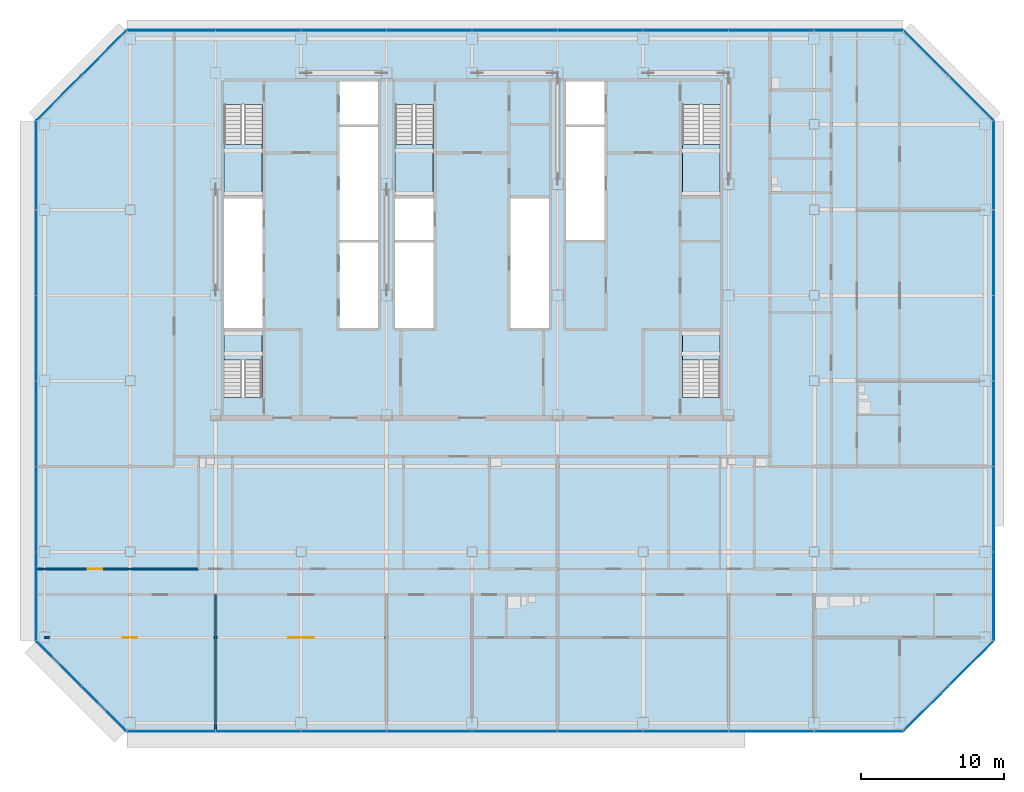
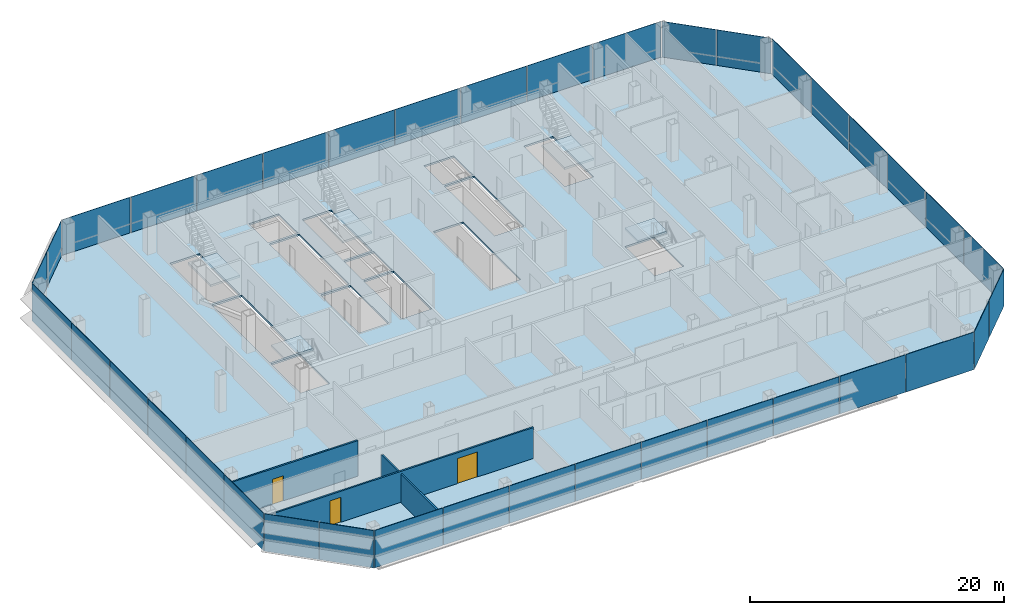
# One storey, part 18 of 25: 38 plates, 6 slabs, 3 doors, 3 walls, 3 openings, 13 elements without a shape of their own.
"""IFC4 building model written with IfcOpenShell, lengths in metres."""

from ifc_helpers import new_model, si_unit, direction, frame, frame_2d, origin, origin_2d, place, context, subcontext, project, spatial, polyline, rectangle, outline, extrude, material, layer, layer_set, type_object, element, fill, aggregate, save


model = new_model("IFC4")

# Units and contexts
model_context = context("Model", 3, precision=1e-05, world=origin(), true_north=direction((0.0, 1.0)))
body_context = subcontext(model_context, "Body", "Model", "MODEL_VIEW")
ifc_project = project(units=[si_unit("LENGTHUNIT", "METRE"), si_unit("AREAUNIT", "SQUARE_METRE"), si_unit("VOLUMEUNIT", "CUBIC_METRE"), si_unit("PLANEANGLEUNIT", "RADIAN"), si_unit("MASSUNIT", "GRAM", prefix="KILO")], contexts=[model_context])

# Site, building, storey
site_placement = place(None, origin())
site = spatial("IfcSite", under=ifc_project, at=site_placement, CompositionType="ELEMENT")
building_placement = place(site_placement, origin())
building = spatial("IfcBuilding", under=site, at=building_placement, Name="Sorahane Residences", CompositionType="ELEMENT")
storey_placement = place(building_placement, frame((0.0, 0.0, 130.39990234375)))
storey = spatial("IfcBuildingStorey", under=building, at=storey_placement, Name="L29", CompositionType="ELEMENT", Elevation=130.39990234375)

# Slab
ifc_material_1 = material(Name="Concrete C35", Category="concrete")
ifc_layer_1 = layer(ifc_material_1, 0.179931640625)
ifc_layer_set_1 = layer_set([ifc_layer_1], Name="Composite floor slab 180 mm Concrete C35")
slab_type_1 = type_object("IfcSlabType", Name="Composite floor slab 180 mm Concrete C35", PredefinedType="FLOOR", material=ifc_layer_set_1)
slab_1_placement = place(storey_placement, frame((0.0, 0.0, -0.179931640625)))
element("IfcSlab", 1, at=slab_1_placement, inside=storey, type_object=slab_type_1, Name="Slab L29", PredefinedType="FLOOR", context=body_context, shape_type="SweptSolid", body=[
    extrude(outline(polyline([(-0.24853515625, -0.60009765625), (-6.60009765625, 5.75146484375), (-6.60009765625, 42.24853515625), (-0.24853515625, 48.60009765625), (54.24853515625, 48.60009765625), (60.60009765625, 42.24853515625), (60.60009765625, 5.75146484375), (54.24853515625, -0.60009765625), (-0.24853515625, -0.60009765625)]), holes=[polyline([(18.60009765625, 27.699951171875), (21.300048828125, 27.699951171875), (21.300048828125, 33.699951171875), (18.60009765625, 33.699951171875), (18.60009765625, 27.699951171875)]), polyline([(30.60009765625, 42.0), (33.300048828125, 42.0), (33.300048828125, 45.0), (30.60009765625, 45.0), (30.60009765625, 42.0)]), polyline([(14.699951171875, 27.699951171875), (17.39990234375, 27.699951171875), (17.39990234375, 33.699951171875), (14.699951171875, 33.699951171875), (14.699951171875, 27.699951171875)]), polyline([(14.699951171875, 42.0), (17.39990234375, 42.0), (17.39990234375, 45.0), (14.699951171875, 45.0), (14.699951171875, 42.0)]), polyline([(6.60009765625, 27.699951171875), (9.300048828125, 27.699951171875), (9.300048828125, 36.800048828125), (6.60009765625, 36.800048828125), (6.60009765625, 27.699951171875)]), polyline([(6.60009765625, 43.39990234375), (6.60009765625, 37.0), (9.25, 37.0), (9.25, 43.39990234375), (6.60009765625, 43.39990234375)]), polyline([(38.75, 43.39990234375), (38.75, 37.0), (41.39990234375, 37.0), (41.39990234375, 43.39990234375), (38.75, 43.39990234375)]), polyline([(18.60009765625, 43.39990234375), (18.60009765625, 37.0), (21.25, 37.0), (21.25, 43.39990234375), (18.60009765625, 43.39990234375)]), polyline([(9.25, 22.85009765625), (9.25, 27.5), (6.60009765625, 27.5), (6.60009765625, 22.85009765625), (9.25, 22.85009765625)]), polyline([(41.39990234375, 22.85009765625), (41.39990234375, 27.5), (38.75, 27.5), (38.75, 22.85009765625), (41.39990234375, 22.85009765625)]), polyline([(14.699951171875, 33.89990234375), (17.39990234375, 33.89990234375), (17.39990234375, 41.800048828125), (14.699951171875, 41.800048828125), (14.699951171875, 33.89990234375)]), polyline([(30.60009765625, 33.89990234375), (33.300048828125, 33.89990234375), (33.300048828125, 41.800048828125), (30.60009765625, 41.800048828125), (30.60009765625, 33.89990234375)]), polyline([(18.60009765625, 33.89990234375), (21.300048828125, 33.89990234375), (21.300048828125, 36.800048828125), (18.60009765625, 36.800048828125), (18.60009765625, 33.89990234375)]), polyline([(26.699951171875, 27.699951171875), (29.39990234375, 27.699951171875), (29.39990234375, 36.800048828125), (26.699951171875, 36.800048828125), (26.699951171875, 27.699951171875)])]), origin(), (0.0, 0.0, 1.0), 0.179931640625),
])

# Curtain wall, plates
ifc_material_2 = material(Name="Dark low-e glass and black anodised aluminium", Category="aluminium")
curtain_wall_type_1 = type_object("IfcCurtainWallType", Name="Curtain wall CW-1 Typical unitised wall", PredefinedType="NOTDEFINED", material=ifc_material_2)
curtain_wall_1_placement = place(storey_placement, origin())
curtain_wall_1 = element("IfcCurtainWall", 2, at=curtain_wall_1_placement, inside=storey, type_object=curtain_wall_type_1, Name="CW-1 curtain wall L29 S1", PredefinedType="NOTDEFINED")
ifc_material_3 = material(Name="Dark low-e glass with black ceramic frit", Category="glass")
ifc_layer_2 = layer(ifc_material_3, 0.0400390625)
ifc_layer_set_2 = layer_set([ifc_layer_2], Name="Curtain wall glass panel dark low-e with black frit spandrel band")
plate_type = type_object("IfcPlateType", Name="Curtain wall glass panel dark low-e with black frit spandrel band", PredefinedType="CURTAIN_PANEL", material=ifc_layer_set_2)
plate_1_placement = place(storey_placement, frame((2.88818359375, -0.60009765625, -0.179931640625), z_axis=(0.0, 0.0, 1.0), x_axis=(1.0, 0.0, 0.0)))
plate_1 = element("IfcPlate", 3, at=plate_1_placement, type_object=plate_type, Name="CW-1 glass panel L29 S1.1", PredefinedType="CURTAIN_PANEL", context=body_context, shape_type="SweptSolid", body=[
    extrude(rectangle(XDim=6.173583984375, YDim=0.0400390625, at=origin_2d()), origin(), (0.0, 0.0, 1.0), 3.60009765625),
])
plate_2_placement = place(storey_placement, frame((9.0, -0.60009765625, -0.179931640625), z_axis=(0.0, 0.0, 1.0), x_axis=(1.0, 0.0, 0.0)))
plate_2 = element("IfcPlate", 4, at=plate_2_placement, type_object=plate_type, Name="CW-1 glass panel L29 S1.2", PredefinedType="CURTAIN_PANEL", context=body_context, shape_type="SweptSolid", body=[
    extrude(rectangle(XDim=5.949951171875, YDim=0.0400390625, at=origin_2d()), origin(), (0.0, 0.0, 1.0), 3.60009765625),
])
plate_3_placement = place(storey_placement, frame((15.0, -0.60009765625, -0.179931640625), z_axis=(0.0, 0.0, 1.0), x_axis=(1.0, 0.0, 0.0)))
plate_3 = element("IfcPlate", 5, at=plate_3_placement, type_object=plate_type, Name="CW-1 glass panel L29 S1.3", PredefinedType="CURTAIN_PANEL", context=body_context, shape_type="SweptSolid", body=[
    extrude(rectangle(XDim=5.949951171875, YDim=0.0400390625, at=origin_2d()), origin(), (0.0, 0.0, 1.0), 3.60009765625),
])
plate_4_placement = place(storey_placement, frame((21.0, -0.60009765625, -0.179931640625), z_axis=(0.0, 0.0, 1.0), x_axis=(1.0, 0.0, 0.0)))
plate_4 = element("IfcPlate", 6, at=plate_4_placement, type_object=plate_type, Name="CW-1 glass panel L29 S1.4", PredefinedType="CURTAIN_PANEL", context=body_context, shape_type="SweptSolid", body=[
    extrude(rectangle(XDim=5.949951171875, YDim=0.0400390625, at=origin_2d()), origin(), (0.0, 0.0, 1.0), 3.60009765625),
])
plate_5_placement = place(storey_placement, frame((27.0, -0.60009765625, -0.179931640625), z_axis=(0.0, 0.0, 1.0), x_axis=(1.0, 0.0, 0.0)))
plate_5 = element("IfcPlate", 7, at=plate_5_placement, type_object=plate_type, Name="CW-1 glass panel L29 S1.5", PredefinedType="CURTAIN_PANEL", context=body_context, shape_type="SweptSolid", body=[
    extrude(rectangle(XDim=5.949951171875, YDim=0.0400390625, at=origin_2d()), origin(), (0.0, 0.0, 1.0), 3.60009765625),
])
plate_6_placement = place(storey_placement, frame((33.0, -0.60009765625, -0.179931640625), z_axis=(0.0, 0.0, 1.0), x_axis=(1.0, 0.0, 0.0)))
plate_6 = element("IfcPlate", 8, at=plate_6_placement, type_object=plate_type, Name="CW-1 glass panel L29 S1.6", PredefinedType="CURTAIN_PANEL", context=body_context, shape_type="SweptSolid", body=[
    extrude(rectangle(XDim=5.949951171875, YDim=0.0400390625, at=origin_2d()), origin(), (0.0, 0.0, 1.0), 3.60009765625),
])
plate_7_placement = place(storey_placement, frame((39.0, -0.60009765625, -0.179931640625), z_axis=(0.0, 0.0, 1.0), x_axis=(1.0, 0.0, 0.0)))
plate_7 = element("IfcPlate", 9, at=plate_7_placement, type_object=plate_type, Name="CW-1 glass panel L29 S1.7", PredefinedType="CURTAIN_PANEL", context=body_context, shape_type="SweptSolid", body=[
    extrude(rectangle(XDim=5.949951171875, YDim=0.0400390625, at=origin_2d()), origin(), (0.0, 0.0, 1.0), 3.60009765625),
])
plate_8_placement = place(storey_placement, frame((45.0, -0.60009765625, -0.179931640625), z_axis=(0.0, 0.0, 1.0), x_axis=(1.0, 0.0, 0.0)))
plate_8 = element("IfcPlate", 10, at=plate_8_placement, type_object=plate_type, Name="CW-1 glass panel L29 S1.8", PredefinedType="CURTAIN_PANEL", context=body_context, shape_type="SweptSolid", body=[
    extrude(rectangle(XDim=5.949951171875, YDim=0.0400390625, at=origin_2d()), origin(), (0.0, 0.0, 1.0), 3.60009765625),
])
plate_9_placement = place(storey_placement, frame((51.11181640625, -0.60009765625, -0.179931640625), z_axis=(0.0, 0.0, 1.0), x_axis=(1.0, 0.0, 0.0)))
plate_9 = element("IfcPlate", 11, at=plate_9_placement, type_object=plate_type, Name="CW-1 glass panel L29 S1.9", PredefinedType="CURTAIN_PANEL", context=body_context, shape_type="SweptSolid", body=[
    extrude(rectangle(XDim=6.173583984375, YDim=0.0400390625, at=origin_2d()), origin(), (0.0, 0.0, 1.0), 3.60009765625),
])
aggregate(curtain_wall_1, [plate_1, plate_2, plate_3, plate_4, plate_5, plate_6, plate_7, plate_8, plate_9])

ifc_material_4 = material(Name="Dark low-e glass and black anodised aluminium", Category="aluminium")
curtain_wall_type_2 = type_object("IfcCurtainWallType", Name="Curtain wall CW-2 Chamfer unitised wall", PredefinedType="NOTDEFINED", material=ifc_material_4)
curtain_wall_2_placement = place(storey_placement, origin())
curtain_wall_2 = element("IfcCurtainWall", 12, at=curtain_wall_2_placement, inside=storey, type_object=curtain_wall_type_2, Name="CW-2 curtain wall L29 SE1", PredefinedType="NOTDEFINED")
plate_10_placement = place(storey_placement, frame((55.84521484375, 0.996826171875, -0.179931640625), z_axis=(0.0, 0.0, 1.0), x_axis=(0.707106781187, 0.707106781187, 0.0)))
plate_10 = element("IfcPlate", 13, at=plate_10_placement, type_object=plate_type, Name="CW-2 glass panel L29 SE1.1", PredefinedType="CURTAIN_PANEL", context=body_context, shape_type="SweptSolid", body=[
    extrude(rectangle(XDim=4.416259765625, YDim=0.0400390625, at=origin_2d()), origin(), (0.0, 0.0, 1.0), 3.60009765625),
])
plate_11_placement = place(storey_placement, frame((59.003173828125, 4.15478515625, -0.179931640625), z_axis=(0.0, 0.0, 1.0), x_axis=(0.707106781187, 0.707106781187, 0.0)))
plate_11 = element("IfcPlate", 14, at=plate_11_placement, type_object=plate_type, Name="CW-2 glass panel L29 SE1.2", PredefinedType="CURTAIN_PANEL", context=body_context, shape_type="SweptSolid", body=[
    extrude(rectangle(XDim=4.416259765625, YDim=0.0400390625, at=origin_2d()), origin(), (0.0, 0.0, 1.0), 3.60009765625),
])
aggregate(curtain_wall_2, [plate_10, plate_11])

curtain_wall_3_placement = place(storey_placement, origin())
curtain_wall_3 = element("IfcCurtainWall", 15, at=curtain_wall_3_placement, inside=storey, type_object=curtain_wall_type_1, Name="CW-1 curtain wall L29 E1", PredefinedType="NOTDEFINED")
plate_12_placement = place(storey_placement, frame((60.60009765625, 8.88818359375, -0.179931640625), z_axis=(0.0, 0.0, 1.0), x_axis=(0.0, 1.0, 0.0)))
plate_12 = element("IfcPlate", 16, at=plate_12_placement, type_object=plate_type, Name="CW-1 glass panel L29 E1.1", PredefinedType="CURTAIN_PANEL", context=body_context, shape_type="SweptSolid", body=[
    extrude(rectangle(XDim=6.173583984375, YDim=0.0400390625, at=origin_2d()), origin(), (0.0, 0.0, 1.0), 3.60009765625),
])
plate_13_placement = place(storey_placement, frame((60.60009765625, 15.0, -0.179931640625), z_axis=(0.0, 0.0, 1.0), x_axis=(0.0, 1.0, 0.0)))
plate_13 = element("IfcPlate", 17, at=plate_13_placement, type_object=plate_type, Name="CW-1 glass panel L29 E1.2", PredefinedType="CURTAIN_PANEL", context=body_context, shape_type="SweptSolid", body=[
    extrude(rectangle(XDim=5.949951171875, YDim=0.0400390625, at=origin_2d()), origin(), (0.0, 0.0, 1.0), 3.60009765625),
])
plate_14_placement = place(storey_placement, frame((60.60009765625, 21.0, -0.179931640625), z_axis=(0.0, 0.0, 1.0), x_axis=(0.0, 1.0, 0.0)))
plate_14 = element("IfcPlate", 18, at=plate_14_placement, type_object=plate_type, Name="CW-1 glass panel L29 E1.3", PredefinedType="CURTAIN_PANEL", context=body_context, shape_type="SweptSolid", body=[
    extrude(rectangle(XDim=5.949951171875, YDim=0.0400390625, at=origin_2d()), origin(), (0.0, 0.0, 1.0), 3.60009765625),
])
plate_15_placement = place(storey_placement, frame((60.60009765625, 27.0, -0.179931640625), z_axis=(0.0, 0.0, 1.0), x_axis=(0.0, 1.0, 0.0)))
plate_15 = element("IfcPlate", 19, at=plate_15_placement, type_object=plate_type, Name="CW-1 glass panel L29 E1.4", PredefinedType="CURTAIN_PANEL", context=body_context, shape_type="SweptSolid", body=[
    extrude(rectangle(XDim=5.949951171875, YDim=0.0400390625, at=origin_2d()), origin(), (0.0, 0.0, 1.0), 3.60009765625),
])
plate_16_placement = place(storey_placement, frame((60.60009765625, 33.0, -0.179931640625), z_axis=(0.0, 0.0, 1.0), x_axis=(0.0, 1.0, 0.0)))
plate_16 = element("IfcPlate", 20, at=plate_16_placement, type_object=plate_type, Name="CW-1 glass panel L29 E1.5", PredefinedType="CURTAIN_PANEL", context=body_context, shape_type="SweptSolid", body=[
    extrude(rectangle(XDim=5.949951171875, YDim=0.0400390625, at=origin_2d()), origin(), (0.0, 0.0, 1.0), 3.60009765625),
])
plate_17_placement = place(storey_placement, frame((60.60009765625, 39.11181640625, -0.179931640625), z_axis=(0.0, 0.0, 1.0), x_axis=(0.0, 1.0, 0.0)))
plate_17 = element("IfcPlate", 21, at=plate_17_placement, type_object=plate_type, Name="CW-1 glass panel L29 E1.6", PredefinedType="CURTAIN_PANEL", context=body_context, shape_type="SweptSolid", body=[
    extrude(rectangle(XDim=6.173583984375, YDim=0.0400390625, at=origin_2d()), origin(), (0.0, 0.0, 1.0), 3.60009765625),
])
aggregate(curtain_wall_3, [plate_12, plate_13, plate_14, plate_15, plate_16, plate_17])

curtain_wall_4_placement = place(storey_placement, origin())
curtain_wall_4 = element("IfcCurtainWall", 22, at=curtain_wall_4_placement, inside=storey, type_object=curtain_wall_type_2, Name="CW-2 curtain wall L29 NE1", PredefinedType="NOTDEFINED")
plate_18_placement = place(storey_placement, frame((59.003173828125, 43.84521484375, -0.179931640625), z_axis=(0.0, 0.0, 1.0), x_axis=(-0.707106781187, 0.707106781187, 0.0)))
plate_18 = element("IfcPlate", 23, at=plate_18_placement, type_object=plate_type, Name="CW-2 glass panel L29 NE1.1", PredefinedType="CURTAIN_PANEL", context=body_context, shape_type="SweptSolid", body=[
    extrude(rectangle(XDim=4.416259765625, YDim=0.0400390625, at=origin_2d()), origin(), (0.0, 0.0, 1.0), 3.60009765625),
])
plate_19_placement = place(storey_placement, frame((55.84521484375, 47.003173828125, -0.179931640625), z_axis=(0.0, 0.0, 1.0), x_axis=(-0.707106781187, 0.707106781187, 0.0)))
plate_19 = element("IfcPlate", 24, at=plate_19_placement, type_object=plate_type, Name="CW-2 glass panel L29 NE1.2", PredefinedType="CURTAIN_PANEL", context=body_context, shape_type="SweptSolid", body=[
    extrude(rectangle(XDim=4.416259765625, YDim=0.0400390625, at=origin_2d()), origin(), (0.0, 0.0, 1.0), 3.60009765625),
])
aggregate(curtain_wall_4, [plate_18, plate_19])

curtain_wall_5_placement = place(storey_placement, origin())
curtain_wall_5 = element("IfcCurtainWall", 25, at=curtain_wall_5_placement, inside=storey, type_object=curtain_wall_type_1, Name="CW-1 curtain wall L29 N1", PredefinedType="NOTDEFINED")
plate_20_placement = place(storey_placement, frame((51.11181640625, 48.60009765625, -0.179931640625), z_axis=(0.0, 0.0, 1.0), x_axis=(-1.0, 0.0, 0.0)))
plate_20 = element("IfcPlate", 26, at=plate_20_placement, type_object=plate_type, Name="CW-1 glass panel L29 N1.1", PredefinedType="CURTAIN_PANEL", context=body_context, shape_type="SweptSolid", body=[
    extrude(rectangle(XDim=6.173583984375, YDim=0.0400390625, at=origin_2d()), origin(), (0.0, 0.0, 1.0), 3.60009765625),
])
plate_21_placement = place(storey_placement, frame((45.0, 48.60009765625, -0.179931640625), z_axis=(0.0, 0.0, 1.0), x_axis=(-1.0, 0.0, 0.0)))
plate_21 = element("IfcPlate", 27, at=plate_21_placement, type_object=plate_type, Name="CW-1 glass panel L29 N1.2", PredefinedType="CURTAIN_PANEL", context=body_context, shape_type="SweptSolid", body=[
    extrude(rectangle(XDim=5.949951171875, YDim=0.0400390625, at=origin_2d()), origin(), (0.0, 0.0, 1.0), 3.60009765625),
])
plate_22_placement = place(storey_placement, frame((39.0, 48.60009765625, -0.179931640625), z_axis=(0.0, 0.0, 1.0), x_axis=(-1.0, 0.0, 0.0)))
plate_22 = element("IfcPlate", 28, at=plate_22_placement, type_object=plate_type, Name="CW-1 glass panel L29 N1.3", PredefinedType="CURTAIN_PANEL", context=body_context, shape_type="SweptSolid", body=[
    extrude(rectangle(XDim=5.949951171875, YDim=0.0400390625, at=origin_2d()), origin(), (0.0, 0.0, 1.0), 3.60009765625),
])
plate_23_placement = place(storey_placement, frame((33.0, 48.60009765625, -0.179931640625), z_axis=(0.0, 0.0, 1.0), x_axis=(-1.0, 0.0, 0.0)))
plate_23 = element("IfcPlate", 29, at=plate_23_placement, type_object=plate_type, Name="CW-1 glass panel L29 N1.4", PredefinedType="CURTAIN_PANEL", context=body_context, shape_type="SweptSolid", body=[
    extrude(rectangle(XDim=5.949951171875, YDim=0.0400390625, at=origin_2d()), origin(), (0.0, 0.0, 1.0), 3.60009765625),
])
plate_24_placement = place(storey_placement, frame((27.0, 48.60009765625, -0.179931640625), z_axis=(0.0, 0.0, 1.0), x_axis=(-1.0, 0.0, 0.0)))
plate_24 = element("IfcPlate", 30, at=plate_24_placement, type_object=plate_type, Name="CW-1 glass panel L29 N1.5", PredefinedType="CURTAIN_PANEL", context=body_context, shape_type="SweptSolid", body=[
    extrude(rectangle(XDim=5.949951171875, YDim=0.0400390625, at=origin_2d()), origin(), (0.0, 0.0, 1.0), 3.60009765625),
])
plate_25_placement = place(storey_placement, frame((21.0, 48.60009765625, -0.179931640625), z_axis=(0.0, 0.0, 1.0), x_axis=(-1.0, 0.0, 0.0)))
plate_25 = element("IfcPlate", 31, at=plate_25_placement, type_object=plate_type, Name="CW-1 glass panel L29 N1.6", PredefinedType="CURTAIN_PANEL", context=body_context, shape_type="SweptSolid", body=[
    extrude(rectangle(XDim=5.949951171875, YDim=0.0400390625, at=origin_2d()), origin(), (0.0, 0.0, 1.0), 3.60009765625),
])
plate_26_placement = place(storey_placement, frame((15.0, 48.60009765625, -0.179931640625), z_axis=(0.0, 0.0, 1.0), x_axis=(-1.0, 0.0, 0.0)))
plate_26 = element("IfcPlate", 32, at=plate_26_placement, type_object=plate_type, Name="CW-1 glass panel L29 N1.7", PredefinedType="CURTAIN_PANEL", context=body_context, shape_type="SweptSolid", body=[
    extrude(rectangle(XDim=5.949951171875, YDim=0.0400390625, at=origin_2d()), origin(), (0.0, 0.0, 1.0), 3.60009765625),
])
plate_27_placement = place(storey_placement, frame((9.0, 48.60009765625, -0.179931640625), z_axis=(0.0, 0.0, 1.0), x_axis=(-1.0, 0.0, 0.0)))
plate_27 = element("IfcPlate", 33, at=plate_27_placement, type_object=plate_type, Name="CW-1 glass panel L29 N1.8", PredefinedType="CURTAIN_PANEL", context=body_context, shape_type="SweptSolid", body=[
    extrude(rectangle(XDim=5.949951171875, YDim=0.0400390625, at=origin_2d()), origin(), (0.0, 0.0, 1.0), 3.60009765625),
])
plate_28_placement = place(storey_placement, frame((2.88818359375, 48.60009765625, -0.179931640625), z_axis=(0.0, 0.0, 1.0), x_axis=(-1.0, 0.0, 0.0)))
plate_28 = element("IfcPlate", 34, at=plate_28_placement, type_object=plate_type, Name="CW-1 glass panel L29 N1.9", PredefinedType="CURTAIN_PANEL", context=body_context, shape_type="SweptSolid", body=[
    extrude(rectangle(XDim=6.173583984375, YDim=0.0400390625, at=origin_2d()), origin(), (0.0, 0.0, 1.0), 3.60009765625),
])
aggregate(curtain_wall_5, [plate_20, plate_21, plate_22, plate_23, plate_24, plate_25, plate_26, plate_27, plate_28])

curtain_wall_6_placement = place(storey_placement, origin())
curtain_wall_6 = element("IfcCurtainWall", 35, at=curtain_wall_6_placement, inside=storey, type_object=curtain_wall_type_2, Name="CW-2 curtain wall L29 NW1", PredefinedType="NOTDEFINED")
plate_29_placement = place(storey_placement, frame((-1.84521484375, 47.003173828125, -0.179931640625), z_axis=(0.0, 0.0, 1.0), x_axis=(-0.707106781187, -0.707106781187, 0.0)))
plate_29 = element("IfcPlate", 36, at=plate_29_placement, type_object=plate_type, Name="CW-2 glass panel L29 NW1.1", PredefinedType="CURTAIN_PANEL", context=body_context, shape_type="SweptSolid", body=[
    extrude(rectangle(XDim=4.416259765625, YDim=0.0400390625, at=origin_2d()), origin(), (0.0, 0.0, 1.0), 3.60009765625),
])
plate_30_placement = place(storey_placement, frame((-5.003173828125, 43.84521484375, -0.179931640625), z_axis=(0.0, 0.0, 1.0), x_axis=(-0.707106781187, -0.707106781187, 0.0)))
plate_30 = element("IfcPlate", 37, at=plate_30_placement, type_object=plate_type, Name="CW-2 glass panel L29 NW1.2", PredefinedType="CURTAIN_PANEL", context=body_context, shape_type="SweptSolid", body=[
    extrude(rectangle(XDim=4.416259765625, YDim=0.0400390625, at=origin_2d()), origin(), (0.0, 0.0, 1.0), 3.60009765625),
])
aggregate(curtain_wall_6, [plate_29, plate_30])

curtain_wall_7_placement = place(storey_placement, origin())
curtain_wall_7 = element("IfcCurtainWall", 38, at=curtain_wall_7_placement, inside=storey, type_object=curtain_wall_type_1, Name="CW-1 curtain wall L29 W1", PredefinedType="NOTDEFINED")
plate_31_placement = place(storey_placement, frame((-6.60009765625, 39.11181640625, -0.179931640625), z_axis=(0.0, 0.0, 1.0), x_axis=(0.0, -1.0, 0.0)))
plate_31 = element("IfcPlate", 39, at=plate_31_placement, type_object=plate_type, Name="CW-1 glass panel L29 W1.1", PredefinedType="CURTAIN_PANEL", context=body_context, shape_type="SweptSolid", body=[
    extrude(rectangle(XDim=6.173583984375, YDim=0.0400390625, at=origin_2d()), origin(), (0.0, 0.0, 1.0), 3.60009765625),
])
plate_32_placement = place(storey_placement, frame((-6.60009765625, 33.0, -0.179931640625), z_axis=(0.0, 0.0, 1.0), x_axis=(0.0, -1.0, 0.0)))
plate_32 = element("IfcPlate", 40, at=plate_32_placement, type_object=plate_type, Name="CW-1 glass panel L29 W1.2", PredefinedType="CURTAIN_PANEL", context=body_context, shape_type="SweptSolid", body=[
    extrude(rectangle(XDim=5.949951171875, YDim=0.0400390625, at=origin_2d()), origin(), (0.0, 0.0, 1.0), 3.60009765625),
])
plate_33_placement = place(storey_placement, frame((-6.60009765625, 27.0, -0.179931640625), z_axis=(0.0, 0.0, 1.0), x_axis=(0.0, -1.0, 0.0)))
plate_33 = element("IfcPlate", 41, at=plate_33_placement, type_object=plate_type, Name="CW-1 glass panel L29 W1.3", PredefinedType="CURTAIN_PANEL", context=body_context, shape_type="SweptSolid", body=[
    extrude(rectangle(XDim=5.949951171875, YDim=0.0400390625, at=origin_2d()), origin(), (0.0, 0.0, 1.0), 3.60009765625),
])
plate_34_placement = place(storey_placement, frame((-6.60009765625, 21.0, -0.179931640625), z_axis=(0.0, 0.0, 1.0), x_axis=(0.0, -1.0, 0.0)))
plate_34 = element("IfcPlate", 42, at=plate_34_placement, type_object=plate_type, Name="CW-1 glass panel L29 W1.4", PredefinedType="CURTAIN_PANEL", context=body_context, shape_type="SweptSolid", body=[
    extrude(rectangle(XDim=5.949951171875, YDim=0.0400390625, at=origin_2d()), origin(), (0.0, 0.0, 1.0), 3.60009765625),
])
plate_35_placement = place(storey_placement, frame((-6.60009765625, 15.0, -0.179931640625), z_axis=(0.0, 0.0, 1.0), x_axis=(0.0, -1.0, 0.0)))
plate_35 = element("IfcPlate", 43, at=plate_35_placement, type_object=plate_type, Name="CW-1 glass panel L29 W1.5", PredefinedType="CURTAIN_PANEL", context=body_context, shape_type="SweptSolid", body=[
    extrude(rectangle(XDim=5.949951171875, YDim=0.0400390625, at=origin_2d()), origin(), (0.0, 0.0, 1.0), 3.60009765625),
])
plate_36_placement = place(storey_placement, frame((-6.60009765625, 8.88818359375, -0.179931640625), z_axis=(0.0, 0.0, 1.0), x_axis=(0.0, -1.0, 0.0)))
plate_36 = element("IfcPlate", 44, at=plate_36_placement, type_object=plate_type, Name="CW-1 glass panel L29 W1.6", PredefinedType="CURTAIN_PANEL", context=body_context, shape_type="SweptSolid", body=[
    extrude(rectangle(XDim=6.173583984375, YDim=0.0400390625, at=origin_2d()), origin(), (0.0, 0.0, 1.0), 3.60009765625),
])
aggregate(curtain_wall_7, [plate_31, plate_32, plate_33, plate_34, plate_35, plate_36])

curtain_wall_8_placement = place(storey_placement, origin())
curtain_wall_8 = element("IfcCurtainWall", 45, at=curtain_wall_8_placement, inside=storey, type_object=curtain_wall_type_2, Name="CW-2 curtain wall L29 SW1", PredefinedType="NOTDEFINED")
plate_37_placement = place(storey_placement, frame((-5.003173828125, 4.15478515625, -0.179931640625), z_axis=(0.0, 0.0, 1.0), x_axis=(0.707106781187, -0.707106781187, 0.0)))
plate_37 = element("IfcPlate", 46, at=plate_37_placement, type_object=plate_type, Name="CW-2 glass panel L29 SW1.1", PredefinedType="CURTAIN_PANEL", context=body_context, shape_type="SweptSolid", body=[
    extrude(rectangle(XDim=4.416259765625, YDim=0.0400390625, at=origin_2d()), origin(), (0.0, 0.0, 1.0), 3.60009765625),
])
plate_38_placement = place(storey_placement, frame((-1.84521484375, 0.996826171875, -0.179931640625), z_axis=(0.0, 0.0, 1.0), x_axis=(0.707106781187, -0.707106781187, 0.0)))
plate_38 = element("IfcPlate", 47, at=plate_38_placement, type_object=plate_type, Name="CW-2 glass panel L29 SW1.2", PredefinedType="CURTAIN_PANEL", context=body_context, shape_type="SweptSolid", body=[
    extrude(rectangle(XDim=4.416259765625, YDim=0.0400390625, at=origin_2d()), origin(), (0.0, 0.0, 1.0), 3.60009765625),
])
aggregate(curtain_wall_8, [plate_37, plate_38])

# Stair, slab
ifc_material_5 = material(Name="Concrete C40", Category="concrete")
stair_type = type_object("IfcStairType", Name="Dog-leg stair 1250 Concrete C40", PredefinedType="HALF_TURN_STAIR", material=ifc_material_5)
stair_1_placement = place(storey_placement, origin())
stair_1 = element("IfcStair", 48, at=stair_1_placement, inside=storey, type_object=stair_type, Name="L29 Stair S1", PredefinedType="HALF_TURN_STAIR")
ifc_material_6 = material(Name="Concrete C40", Category="concrete")
ifc_layer_3 = layer(ifc_material_6, 0.199951171875)
ifc_layer_set_3 = layer_set([ifc_layer_3], Name="Stair landing 200 Concrete C40")
slab_type_2 = type_object("IfcSlabType", Name="Stair landing 200 Concrete C40", PredefinedType="LANDING", material=ifc_layer_set_3)
slab_2_placement = place(storey_placement, frame((0.0, 0.0, 1.60009765625)))
slab_2 = element("IfcSlab", 49, at=slab_2_placement, type_object=slab_type_2, Name="S1 landing 1", PredefinedType="LANDING", context=body_context, shape_type="SweptSolid", body=[
    extrude(outline(polyline([(6.60009765625, 40.60009765625), (6.60009765625, 37.0), (9.25, 37.0), (9.25, 40.60009765625), (6.60009765625, 40.60009765625)])), origin(), (0.0, 0.0, 1.0), 0.199951171875),
])
aggregate(stair_1, [slab_2])

stair_2_placement = place(storey_placement, origin())
stair_2 = element("IfcStair", 50, at=stair_2_placement, inside=storey, type_object=stair_type, Name="L29 Stair S2", PredefinedType="HALF_TURN_STAIR")
slab_3_placement = place(storey_placement, frame((0.0, 0.0, 1.60009765625)))
slab_3 = element("IfcSlab", 51, at=slab_3_placement, type_object=slab_type_2, Name="S2 landing 1", PredefinedType="LANDING", context=body_context, shape_type="SweptSolid", body=[
    extrude(outline(polyline([(38.75, 40.60009765625), (38.75, 37.0), (41.39990234375, 37.0), (41.39990234375, 40.60009765625), (38.75, 40.60009765625)])), origin(), (0.0, 0.0, 1.0), 0.199951171875),
])
aggregate(stair_2, [slab_3])

stair_3_placement = place(storey_placement, origin())
stair_3 = element("IfcStair", 52, at=stair_3_placement, inside=storey, type_object=stair_type, Name="L29 Stair S3", PredefinedType="HALF_TURN_STAIR")
slab_4_placement = place(storey_placement, frame((0.0, 0.0, 1.60009765625)))
slab_4 = element("IfcSlab", 53, at=slab_4_placement, type_object=slab_type_2, Name="S3 landing 1", PredefinedType="LANDING", context=body_context, shape_type="SweptSolid", body=[
    extrude(outline(polyline([(18.60009765625, 40.60009765625), (18.60009765625, 37.0), (21.25, 37.0), (21.25, 40.60009765625), (18.60009765625, 40.60009765625)])), origin(), (0.0, 0.0, 1.0), 0.199951171875),
])
aggregate(stair_3, [slab_4])

stair_4_placement = place(storey_placement, origin())
stair_4 = element("IfcStair", 54, at=stair_4_placement, inside=storey, type_object=stair_type, Name="L29 Stair S4", PredefinedType="HALF_TURN_STAIR")
slab_5_placement = place(storey_placement, frame((0.0, 0.0, 1.60009765625)))
slab_5 = element("IfcSlab", 55, at=slab_5_placement, type_object=slab_type_2, Name="S4 landing 1", PredefinedType="LANDING", context=body_context, shape_type="SweptSolid", body=[
    extrude(outline(polyline([(9.25, 25.449951171875), (9.25, 27.5), (6.60009765625, 27.5), (6.60009765625, 25.449951171875), (9.25, 25.449951171875)])), origin(), (0.0, 0.0, 1.0), 0.199951171875),
])
aggregate(stair_4, [slab_5])

stair_5_placement = place(storey_placement, origin())
stair_5 = element("IfcStair", 56, at=stair_5_placement, inside=storey, type_object=stair_type, Name="L29 Stair S5", PredefinedType="HALF_TURN_STAIR")
slab_6_placement = place(storey_placement, frame((0.0, 0.0, 1.60009765625)))
slab_6 = element("IfcSlab", 57, at=slab_6_placement, type_object=slab_type_2, Name="S5 landing 1", PredefinedType="LANDING", context=body_context, shape_type="SweptSolid", body=[
    extrude(outline(polyline([(41.39990234375, 25.449951171875), (41.39990234375, 27.5), (38.75, 27.5), (38.75, 25.449951171875), (41.39990234375, 25.449951171875)])), origin(), (0.0, 0.0, 1.0), 0.199951171875),
])
aggregate(stair_5, [slab_6])

# Wall
ifc_material_7 = material(Name="Gypsum board partition on steel studs", Category="steel")
ifc_layer_4 = layer(ifc_material_7, 0.14990234375)
ifc_layer_set_4 = layer_set([ifc_layer_4], Name="Partition 150 EI 90")
wall_type = type_object("IfcWallType", Name="Partition 150 EI 90", PredefinedType="PARTITIONING", material=ifc_layer_set_4)
wall_1_placement = place(storey_placement, frame((6.0, -0.60009765625, 0.0), z_axis=(0.0, 0.0, 1.0), x_axis=(0.0, 1.0, 0.0)))
element("IfcWall", 58, at=wall_1_placement, inside=storey, type_object=wall_type, Name="L29 partition", PredefinedType="PARTITIONING", context=body_context, shape_type="SweptSolid", body=[
    extrude(rectangle(XDim=9.60009765625, YDim=0.14990234375, at=frame_2d((4.800048828125, 0.0))), origin(), (0.0, 0.0, 1.0), 2.72021484375),
])

# Wall, opening, door
wall_2_placement = place(storey_placement, frame((-6.60009765625, 10.800048828125, 0.0), z_axis=(0.0, 0.0, 1.0), x_axis=(1.0, 0.0, 0.0)))
wall_2 = element("IfcWall", 59, at=wall_2_placement, inside=storey, type_object=wall_type, Name="L29 partition", PredefinedType="PARTITIONING", context=body_context, shape_type="SweptSolid", body=[
    extrude(rectangle(XDim=11.400146484375, YDim=0.14990234375, at=frame_2d((5.7001953125, 0.0))), origin(), (0.0, 0.0, 1.0), 3.420166015625),
])
opening_1_placement = place(wall_2_placement, frame((3.639892578125, 0.0, 0.0)))
opening_1 = element("IfcOpeningElement", 60, at=opening_1_placement, cuts=wall_2, Name="Opening L29-02", PredefinedType="OPENING", context=body_context, shape_type="SweptSolid", body=[
    extrude(rectangle(XDim=1.0, YDim=2.39990234375, at=frame_2d((0.5, 1.199951171875))), frame((0.0, 0.0849609375, 0.0), z_axis=(0.0, -1.0, 0.0), x_axis=(1.0, 0.0, 0.0)), (0.0, 0.0, 1.0), 0.169921875),
])
ifc_material_8 = material(Name="Timber veneered fire door", Category="wood")
door_type_1 = type_object("IfcDoorType", Name="Room door 1000x2400 FD30", OperationType="NOTDEFINED", PredefinedType="DOOR", material=ifc_material_8)
door_1_placement = place(opening_1_placement, origin())
door_1 = element("IfcDoor", 61, at=door_1_placement, inside=storey, type_object=door_type_1, Name="Room door L29-02", OperationType="SINGLE_SWING_RIGHT", OverallHeight=2.39990234375, OverallWidth=1.0, PredefinedType="DOOR", context=body_context, shape_type="SweptSolid", body=[
    extrude(rectangle(XDim=1.0, YDim=2.39990234375, at=frame_2d((0.5, 1.199951171875))), frame((0.0, 0.02490234375, 0.0), z_axis=(0.0, -1.0, 0.0), x_axis=(1.0, 0.0, 0.0)), (0.0, 0.0, 1.0), 0.050048828125),
])
fill(opening_1, door_1)

# Wall, openings, doors
wall_3_placement = place(storey_placement, frame((-6.0, 6.0, 0.0), z_axis=(0.0, 0.0, 1.0), x_axis=(1.0, 0.0, 0.0)))
wall_3 = element("IfcWall", 62, at=wall_3_placement, inside=storey, type_object=wall_type, Name="L29 partition", PredefinedType="PARTITIONING", context=body_context, shape_type="SweptSolid", body=[
    extrude(rectangle(XDim=24.0, YDim=0.14990234375, at=frame_2d((12.0, 0.0))), origin(), (0.0, 0.0, 1.0), 2.97021484375),
])
opening_2_placement = place(wall_3_placement, frame((5.5, 0.0, 0.0)))
opening_2 = element("IfcOpeningElement", 63, at=opening_2_placement, cuts=wall_3, Name="Opening L29-10", PredefinedType="OPENING", context=body_context, shape_type="SweptSolid", body=[
    extrude(rectangle(XDim=1.0, YDim=2.39990234375, at=frame_2d((0.5, 1.199951171875))), frame((0.0, 0.0849609375, 0.0), z_axis=(0.0, -1.0, 0.0), x_axis=(1.0, 0.0, 0.0)), (0.0, 0.0, 1.0), 0.169921875),
])
opening_3_placement = place(wall_3_placement, frame((17.10009765625, 0.0, 0.0)))
opening_3 = element("IfcOpeningElement", 64, at=opening_3_placement, cuts=wall_3, Name="Opening L29-11", PredefinedType="OPENING", context=body_context, shape_type="SweptSolid", body=[
    extrude(rectangle(XDim=1.800048828125, YDim=2.39990234375, at=frame_2d((0.89990234375, 1.199951171875))), frame((0.0, 0.0849609375, 0.0), z_axis=(0.0, -1.0, 0.0), x_axis=(1.0, 0.0, 0.0)), (0.0, 0.0, 1.0), 0.169921875),
])
ifc_material_9 = material(Name="Timber veneered fire door", Category="wood")
door_type_2 = type_object("IfcDoorType", Name="Double door 1800x2400 FD30", OperationType="NOTDEFINED", PredefinedType="DOOR", material=ifc_material_9)
door_2_placement = place(opening_3_placement, frame((1.800048828125, 0.0, 0.0), z_axis=(0.0, 0.0, 1.0), x_axis=(-1.0, 0.0, 0.0)))
door_2 = element("IfcDoor", 65, at=door_2_placement, inside=storey, type_object=door_type_2, Name="Double door L29-11", OperationType="SINGLE_SWING_RIGHT", OverallHeight=2.39990234375, OverallWidth=1.800048828125, PredefinedType="DOOR", context=body_context, shape_type="SweptSolid", body=[
    extrude(rectangle(XDim=1.800048828125, YDim=2.39990234375, at=frame_2d((0.89990234375, 1.199951171875))), frame((0.0, 0.02490234375, 0.0), z_axis=(0.0, -1.0, 0.0), x_axis=(1.0, 0.0, 0.0)), (0.0, 0.0, 1.0), 0.050048828125),
])
fill(opening_3, door_2)
door_3_placement = place(opening_2_placement, frame((1.0, 0.0, 0.0), z_axis=(0.0, 0.0, 1.0), x_axis=(-1.0, 0.0, 0.0)))
door_3 = element("IfcDoor", 66, at=door_3_placement, inside=storey, type_object=door_type_1, Name="Room door L29-10", OperationType="SINGLE_SWING_RIGHT", OverallHeight=2.39990234375, OverallWidth=1.0, PredefinedType="DOOR", context=body_context, shape_type="SweptSolid", body=[
    extrude(rectangle(XDim=1.0, YDim=2.39990234375, at=frame_2d((0.5, 1.199951171875))), frame((0.0, 0.02490234375, 0.0), z_axis=(0.0, -1.0, 0.0), x_axis=(1.0, 0.0, 0.0)), (0.0, 0.0, 1.0), 0.050048828125),
])
fill(opening_2, door_3)

save(model, "model.ifc")
